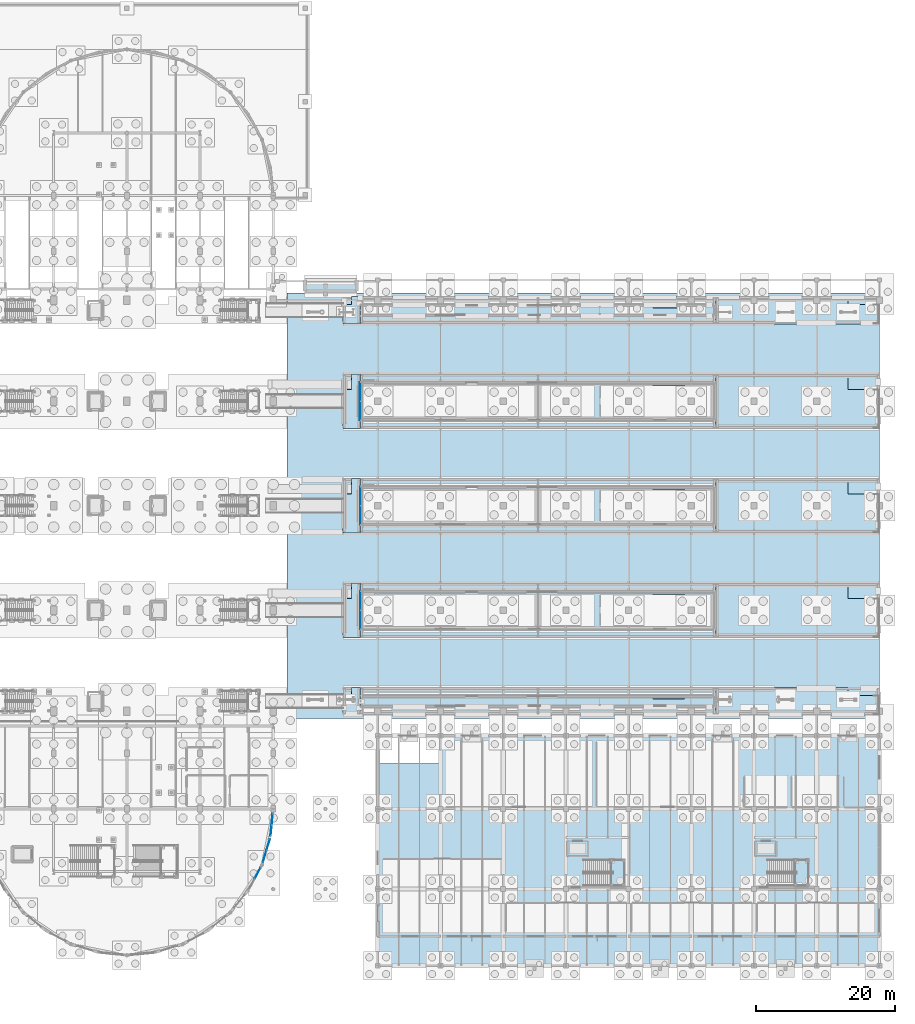
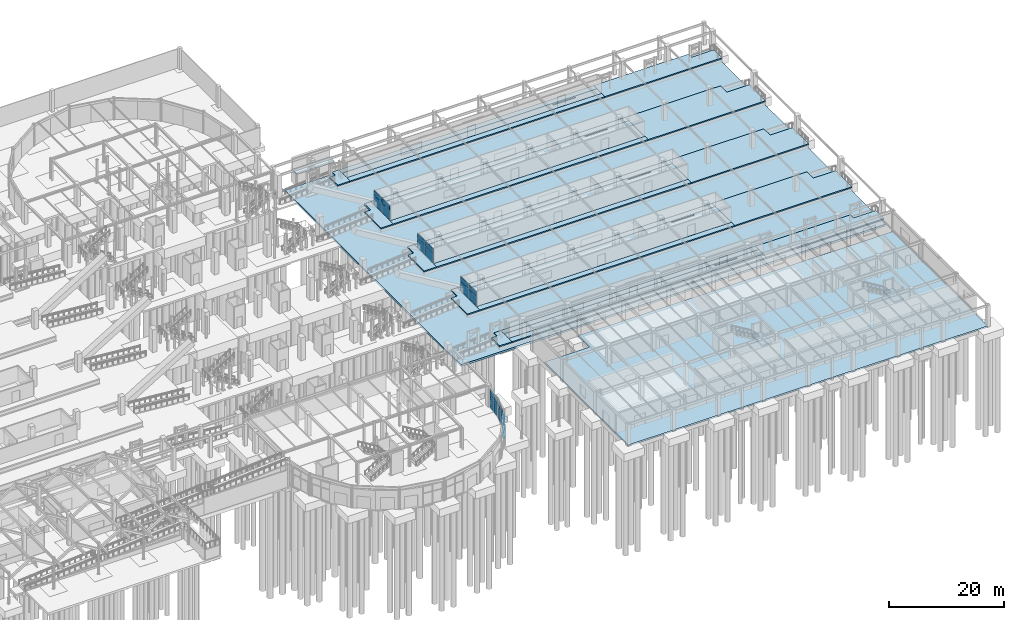
# One storey, part 94 of 160: 30 slabs, 22 plates, 8 elements without a shape of their own.
"""IFC4 building model written with IfcOpenShell, lengths in metres."""

from ifc_helpers import new_model, si_unit, direction, frame, origin, origin_2d, place, context, subcontext, project, spatial, polyline, rectangle, outline, extrude, material, layer, layer_set, type_object, element, aggregate, save


model = new_model("IFC4")

# Units and contexts
model_context = context("Model", 3, precision=1e-05, world=origin(), true_north=direction((0.0, 1.0)))
body_context = subcontext(model_context, "Body", "Model", "MODEL_VIEW")
ifc_project = project(units=[si_unit("LENGTHUNIT", "METRE"), si_unit("AREAUNIT", "SQUARE_METRE"), si_unit("VOLUMEUNIT", "CUBIC_METRE"), si_unit("PLANEANGLEUNIT", "RADIAN"), si_unit("MASSUNIT", "GRAM", prefix="KILO")], contexts=[model_context])

# Site, building, storey
site_placement = place(None, origin())
site = spatial("IfcSite", under=ifc_project, at=site_placement, CompositionType="ELEMENT")
building_placement = place(site_placement, origin())
building = spatial("IfcBuilding", under=site, at=building_placement, Name="Marlcrest Central Station", CompositionType="ELEMENT")
storey_placement = place(building_placement, origin())
storey = spatial("IfcBuildingStorey", under=building, at=storey_placement, Name="L00", CompositionType="ELEMENT", Elevation=0.0)

# Slabs
ifc_material_1 = material(Name="Concrete C35/45", Category="concrete")
ifc_layer_1 = layer(ifc_material_1, 0.39990234375, Name="BS-02")
ifc_layer_set_1 = layer_set([ifc_layer_1], Name="Concrete C35/45")
slab_type_1 = type_object("IfcSlabType", Name="BS-02", PredefinedType="BASESLAB", material=ifc_layer_set_1)
slab_1_placement = place(storey_placement, frame((0.0, 0.0, -0.39990234375)))
element("IfcSlab", 1, at=slab_1_placement, inside=storey, type_object=slab_type_1, Name="slab-L00-0022", PredefinedType="BASESLAB", context=body_context, shape_type="SweptSolid", body=[
    extrude(outline(polyline([(131.0, 35.5), (216.0, 35.5), (216.0, 96.5), (131.0, 96.5), (131.0, 35.5)])), origin(), (0.0, 0.0, 1.0), 0.39990234375),
])
ifc_layer_2 = layer(ifc_material_1, 0.300048828125, Name="BS-03")
ifc_layer_set_2 = layer_set([ifc_layer_2], Name="Concrete C35/45")
slab_type_2 = type_object("IfcSlabType", Name="BS-03", PredefinedType="BASESLAB", material=ifc_layer_set_2)
slab_2_placement = place(storey_placement, frame((0.0, 0.0, -0.300048828125)))
element("IfcSlab", 2, at=slab_2_placement, inside=storey, type_object=slab_type_2, Name="slab-L00-0014", PredefinedType="BASESLAB", context=body_context, shape_type="SweptSolid", body=[
    extrude(outline(polyline([(144.0, 0.0), (216.0, 0.0), (216.0, 33.0), (153.0, 33.0), (153.0, 29.0), (144.0, 29.0), (144.0, 0.0)])), origin(), (0.0, 0.0, 1.0), 0.300048828125),
])

# Curtain wall, plate
ifc_material_2 = material(Name="Anodised aluminium and hurricane laminated glass", Category="aluminium")
ifc_layer_3 = layer(ifc_material_2, 0.219970703125, Name="CW-U1")
ifc_layer_set_3 = layer_set([ifc_layer_3], Name="Anodised aluminium and hurricane laminated glass")
curtain_wall_type_1 = type_object("IfcCurtainWallType", Name="CW-U1", PredefinedType="USERDEFINED", material=ifc_layer_set_3)
curtain_wall_1_placement = place(storey_placement, origin())
curtain_wall_1 = element("IfcCurtainWall", 3, at=curtain_wall_1_placement, inside=storey, type_object=curtain_wall_type_1, Name="cw-L00-0006", ObjectType="UNITISED_CURTAIN_WALL", PredefinedType="USERDEFINED")
ifc_material_3 = material(Name="Hurricane laminated solar-control glass", Category="glass")
ifc_layer_4 = layer(ifc_material_3, 0.031982421875, Name="CP-01")
ifc_layer_set_4 = layer_set([ifc_layer_4], Name="Hurricane laminated solar-control glass")
plate_type_1 = type_object("IfcPlateType", Name="CP-01", PredefinedType="CURTAIN_PANEL", material=ifc_layer_set_4)
plate_1_placement = place(storey_placement, frame((126.775634765625, 13.29345703125, 0.080078125), z_axis=(0.0, 0.0, 1.0), x_axis=(-0.471242805349, -0.882003525167, 0.0)))
plate_1 = element("IfcPlate", 4, at=plate_1_placement, type_object=plate_type_1, Name="cw-L00-0006-cp-lo-0", PredefinedType="CURTAIN_PANEL", context=body_context, shape_type="SweptSolid", body=[
    extrude(rectangle(XDim=1.77001953125, YDim=0.031982421875, at=origin_2d()), origin(), (0.0, 0.0, 1.0), 2.544921875),
])

# Curtain wall, plates
curtain_wall_2_placement = place(storey_placement, origin())
curtain_wall_2 = element("IfcCurtainWall", 5, at=curtain_wall_2_placement, inside=storey, type_object=curtain_wall_type_1, Name="cw-L00-0007", ObjectType="UNITISED_CURTAIN_WALL", PredefinedType="USERDEFINED")
plate_2_placement = place(storey_placement, frame((128.28173828125, 17.3671875, 0.080078125), z_axis=(0.0, 0.0, 1.0), x_axis=(-0.290318080597, -0.956930202302, 0.0)))
plate_2 = element("IfcPlate", 6, at=plate_2_placement, type_object=plate_type_1, Name="cw-L00-0007-cp-lo-0", PredefinedType="CURTAIN_PANEL", context=body_context, shape_type="SweptSolid", body=[
    extrude(rectangle(XDim=1.67724609375, YDim=0.031982421875, at=origin_2d()), origin(), (0.0, 0.0, 1.0), 2.544921875),
])
plate_3_placement = place(storey_placement, frame((127.772705078125, 15.689453125, 0.080078125), z_axis=(0.0, 0.0, 1.0), x_axis=(-0.290318080597, -0.956930202302, 0.0)))
plate_3 = element("IfcPlate", 7, at=plate_3_placement, type_object=plate_type_1, Name="cw-L00-0007-cp-lo-1", PredefinedType="CURTAIN_PANEL", context=body_context, shape_type="SweptSolid", body=[
    extrude(rectangle(XDim=1.67724609375, YDim=0.031982421875, at=origin_2d()), origin(), (0.0, 0.0, 1.0), 2.544921875),
])

curtain_wall_3_placement = place(storey_placement, origin())
curtain_wall_3 = element("IfcCurtainWall", 8, at=curtain_wall_3_placement, inside=storey, type_object=curtain_wall_type_1, Name="cw-L00-0008", ObjectType="UNITISED_CURTAIN_WALL", PredefinedType="USERDEFINED")
plate_4_placement = place(storey_placement, frame((128.854248046875, 21.0224609375, 0.080078125), z_axis=(0.0, 0.0, 1.0), x_axis=(-0.098138724349, -0.995172744192, 0.0)))
plate_4 = element("IfcPlate", 9, at=plate_4_placement, type_object=plate_type_1, Name="cw-L00-0008-cp-lo-0", PredefinedType="CURTAIN_PANEL", context=body_context, shape_type="SweptSolid", body=[
    extrude(rectangle(XDim=1.54150390625, YDim=0.031982421875, at=origin_2d()), origin(), (0.0, 0.0, 1.0), 2.544921875),
])
plate_5_placement = place(storey_placement, frame((128.695556640625, 19.41259765625, 0.080078125), z_axis=(0.0, 0.0, 1.0), x_axis=(-0.098138724349, -0.995172744192, 0.0)))
plate_5 = element("IfcPlate", 10, at=plate_5_placement, type_object=plate_type_1, Name="cw-L00-0008-cp-lo-1", PredefinedType="CURTAIN_PANEL", context=body_context, shape_type="SweptSolid", body=[
    extrude(rectangle(XDim=1.54150390625, YDim=0.031982421875, at=origin_2d()), origin(), (0.0, 0.0, 1.0), 2.544921875),
])

ifc_layer_5 = layer(ifc_material_2, 0.179931640625, Name="CW-S1")
ifc_layer_set_5 = layer_set([ifc_layer_5], Name="Anodised aluminium and hurricane laminated glass")
curtain_wall_type_2 = type_object("IfcCurtainWallType", Name="CW-S1", PredefinedType="USERDEFINED", material=ifc_layer_set_5)
curtain_wall_4_placement = place(storey_placement, origin())
curtain_wall_4 = element("IfcCurtainWall", 11, at=curtain_wall_4_placement, inside=storey, type_object=curtain_wall_type_2, Name="cw-L00-0174", ObjectType="STICK_CURTAIN_WALL", PredefinedType="USERDEFINED")
plate_6_placement = place(storey_placement, frame((141.5, 49.625, 0.9951171875), z_axis=(0.0, 0.0, 1.0), x_axis=(0.0, 1.0, 0.0)))
plate_6 = element("IfcPlate", 12, at=plate_6_placement, type_object=plate_type_1, Name="cw-L00-0174-cp-lo-0", PredefinedType="CURTAIN_PANEL", context=body_context, shape_type="SweptSolid", body=[
    extrude(rectangle(XDim=2.68408203125, YDim=0.031982421875, at=origin_2d()), origin(), (0.0, 0.0, 1.0), 1.949951171875),
])
plate_7_placement = place(storey_placement, frame((141.5, 52.375, 0.9951171875), z_axis=(0.0, 0.0, 1.0), x_axis=(0.0, 1.0, 0.0)))
plate_7 = element("IfcPlate", 13, at=plate_7_placement, type_object=plate_type_1, Name="cw-L00-0174-cp-lo-1", PredefinedType="CURTAIN_PANEL", context=body_context, shape_type="SweptSolid", body=[
    extrude(rectangle(XDim=2.68408203125, YDim=0.031982421875, at=origin_2d()), origin(), (0.0, 0.0, 1.0), 1.949951171875),
])

curtain_wall_5_placement = place(storey_placement, origin())
curtain_wall_5 = element("IfcCurtainWall", 14, at=curtain_wall_5_placement, inside=storey, type_object=curtain_wall_type_2, Name="cw-L00-0176", ObjectType="STICK_CURTAIN_WALL", PredefinedType="USERDEFINED")
plate_8_placement = place(storey_placement, frame((141.5, 64.625, 0.9951171875), z_axis=(0.0, 0.0, 1.0), x_axis=(0.0, 1.0, 0.0)))
plate_8 = element("IfcPlate", 15, at=plate_8_placement, type_object=plate_type_1, Name="cw-L00-0176-cp-lo-0", PredefinedType="CURTAIN_PANEL", context=body_context, shape_type="SweptSolid", body=[
    extrude(rectangle(XDim=2.68408203125, YDim=0.031982421875, at=origin_2d()), origin(), (0.0, 0.0, 1.0), 1.949951171875),
])
plate_9_placement = place(storey_placement, frame((141.5, 67.375, 0.9951171875), z_axis=(0.0, 0.0, 1.0), x_axis=(0.0, 1.0, 0.0)))
plate_9 = element("IfcPlate", 16, at=plate_9_placement, type_object=plate_type_1, Name="cw-L00-0176-cp-lo-1", PredefinedType="CURTAIN_PANEL", context=body_context, shape_type="SweptSolid", body=[
    extrude(rectangle(XDim=2.68408203125, YDim=0.031982421875, at=origin_2d()), origin(), (0.0, 0.0, 1.0), 1.949951171875),
])

curtain_wall_6_placement = place(storey_placement, origin())
curtain_wall_6 = element("IfcCurtainWall", 17, at=curtain_wall_6_placement, inside=storey, type_object=curtain_wall_type_2, Name="cw-L00-0178", ObjectType="STICK_CURTAIN_WALL", PredefinedType="USERDEFINED")
plate_10_placement = place(storey_placement, frame((141.5, 79.625, 0.9951171875), z_axis=(0.0, 0.0, 1.0), x_axis=(0.0, 1.0, 0.0)))
plate_10 = element("IfcPlate", 18, at=plate_10_placement, type_object=plate_type_1, Name="cw-L00-0178-cp-lo-0", PredefinedType="CURTAIN_PANEL", context=body_context, shape_type="SweptSolid", body=[
    extrude(rectangle(XDim=2.68408203125, YDim=0.031982421875, at=origin_2d()), origin(), (0.0, 0.0, 1.0), 1.949951171875),
])
plate_11_placement = place(storey_placement, frame((141.5, 82.375, 0.9951171875), z_axis=(0.0, 0.0, 1.0), x_axis=(0.0, 1.0, 0.0)))
plate_11 = element("IfcPlate", 19, at=plate_11_placement, type_object=plate_type_1, Name="cw-L00-0178-cp-lo-1", PredefinedType="CURTAIN_PANEL", context=body_context, shape_type="SweptSolid", body=[
    extrude(rectangle(XDim=2.68408203125, YDim=0.031982421875, at=origin_2d()), origin(), (0.0, 0.0, 1.0), 1.949951171875),
])

# Plate
ifc_material_4 = material(Name="Insulated bronze-anodised aluminium spandrel panel", Category="aluminium")
ifc_layer_6 = layer(ifc_material_4, 0.06005859375, Name="CP-04")
ifc_layer_set_6 = layer_set([ifc_layer_6], Name="Insulated bronze-anodised aluminium spandrel panel")
plate_type_2 = type_object("IfcPlateType", Name="CP-04", PredefinedType="CURTAIN_PANEL", material=ifc_layer_set_6)
plate_12_placement = place(storey_placement, frame((126.775634765625, 13.29345703125, 2.705078125), z_axis=(0.0, 0.0, 1.0), x_axis=(-0.471242805349, -0.882003525167, 0.0)))
plate_12 = element("IfcPlate", 20, at=plate_12_placement, type_object=plate_type_2, Name="cw-L00-0006-cp-hi-0", PredefinedType="CURTAIN_PANEL", context=body_context, shape_type="SweptSolid", body=[
    extrude(rectangle(XDim=1.77001953125, YDim=0.06005859375, at=origin_2d()), origin(), (0.0, 0.0, 1.0), 1.31494140625),
])

aggregate(curtain_wall_1, [plate_1, plate_12])

plate_13_placement = place(storey_placement, frame((141.5, 49.625, 3.02490234375), z_axis=(0.0, 0.0, 1.0), x_axis=(0.0, 1.0, 0.0)))
plate_13 = element("IfcPlate", 21, at=plate_13_placement, type_object=plate_type_2, Name="cw-L00-0174-cp-hi-0", PredefinedType="CURTAIN_PANEL", context=body_context, shape_type="SweptSolid", body=[
    extrude(rectangle(XDim=2.68408203125, YDim=0.06005859375, at=origin_2d()), origin(), (0.0, 0.0, 1.0), 0.9951171875),
])

plate_14_placement = place(storey_placement, frame((141.5, 52.375, 3.02490234375), z_axis=(0.0, 0.0, 1.0), x_axis=(0.0, 1.0, 0.0)))
plate_14 = element("IfcPlate", 22, at=plate_14_placement, type_object=plate_type_2, Name="cw-L00-0174-cp-hi-1", PredefinedType="CURTAIN_PANEL", context=body_context, shape_type="SweptSolid", body=[
    extrude(rectangle(XDim=2.68408203125, YDim=0.06005859375, at=origin_2d()), origin(), (0.0, 0.0, 1.0), 0.9951171875),
])

aggregate(curtain_wall_4, [plate_6, plate_13, plate_7, plate_14])

ifc_layer_7 = layer(ifc_material_4, 0.050048828125, Name="CP-05")
ifc_layer_set_7 = layer_set([ifc_layer_7], Name="Insulated bronze-anodised aluminium spandrel panel")
plate_type_3 = type_object("IfcPlateType", Name="CP-05", PredefinedType="CURTAIN_PANEL", material=ifc_layer_set_7)
plate_15_placement = place(storey_placement, frame((128.28173828125, 17.3671875, 2.705078125), z_axis=(0.0, 0.0, 1.0), x_axis=(-0.290318080597, -0.956930202302, 0.0)))
plate_15 = element("IfcPlate", 23, at=plate_15_placement, type_object=plate_type_3, Name="cw-L00-0007-cp-hi-0", PredefinedType="CURTAIN_PANEL", context=body_context, shape_type="SweptSolid", body=[
    extrude(rectangle(XDim=1.67724609375, YDim=0.050048828125, at=origin_2d()), origin(), (0.0, 0.0, 1.0), 1.31494140625),
])

plate_16_placement = place(storey_placement, frame((127.772705078125, 15.689453125, 2.705078125), z_axis=(0.0, 0.0, 1.0), x_axis=(-0.290318080597, -0.956930202302, 0.0)))
plate_16 = element("IfcPlate", 24, at=plate_16_placement, type_object=plate_type_3, Name="cw-L00-0007-cp-hi-1", PredefinedType="CURTAIN_PANEL", context=body_context, shape_type="SweptSolid", body=[
    extrude(rectangle(XDim=1.67724609375, YDim=0.050048828125, at=origin_2d()), origin(), (0.0, 0.0, 1.0), 1.31494140625),
])

aggregate(curtain_wall_2, [plate_2, plate_15, plate_3, plate_16])

ifc_material_5 = material(Name="Insulated acoustic spandrel panel")
ifc_layer_8 = layer(ifc_material_5, 0.074951171875, Name="CP-06")
ifc_layer_set_8 = layer_set([ifc_layer_8], Name="Insulated acoustic spandrel panel")
plate_type_4 = type_object("IfcPlateType", Name="CP-06", PredefinedType="CURTAIN_PANEL", material=ifc_layer_set_8)
plate_17_placement = place(storey_placement, frame((128.854248046875, 21.0224609375, 2.705078125), z_axis=(0.0, 0.0, 1.0), x_axis=(-0.098138724349, -0.995172744192, 0.0)))
plate_17 = element("IfcPlate", 25, at=plate_17_placement, type_object=plate_type_4, Name="cw-L00-0008-cp-hi-0", PredefinedType="CURTAIN_PANEL", context=body_context, shape_type="SweptSolid", body=[
    extrude(rectangle(XDim=1.54150390625, YDim=0.074951171875, at=origin_2d()), origin(), (0.0, 0.0, 1.0), 1.31494140625),
])

plate_18_placement = place(storey_placement, frame((128.695556640625, 19.41259765625, 2.705078125), z_axis=(0.0, 0.0, 1.0), x_axis=(-0.098138724349, -0.995172744192, 0.0)))
plate_18 = element("IfcPlate", 26, at=plate_18_placement, type_object=plate_type_4, Name="cw-L00-0008-cp-hi-1", PredefinedType="CURTAIN_PANEL", context=body_context, shape_type="SweptSolid", body=[
    extrude(rectangle(XDim=1.54150390625, YDim=0.074951171875, at=origin_2d()), origin(), (0.0, 0.0, 1.0), 1.31494140625),
])

aggregate(curtain_wall_3, [plate_4, plate_17, plate_5, plate_18])

plate_19_placement = place(storey_placement, frame((141.5, 64.625, 3.02490234375), z_axis=(0.0, 0.0, 1.0), x_axis=(0.0, 1.0, 0.0)))
plate_19 = element("IfcPlate", 27, at=plate_19_placement, type_object=plate_type_4, Name="cw-L00-0176-cp-hi-0", PredefinedType="CURTAIN_PANEL", context=body_context, shape_type="SweptSolid", body=[
    extrude(rectangle(XDim=2.68408203125, YDim=0.074951171875, at=origin_2d()), origin(), (0.0, 0.0, 1.0), 0.9951171875),
])

plate_20_placement = place(storey_placement, frame((141.5, 67.375, 3.02490234375), z_axis=(0.0, 0.0, 1.0), x_axis=(0.0, 1.0, 0.0)))
plate_20 = element("IfcPlate", 28, at=plate_20_placement, type_object=plate_type_4, Name="cw-L00-0176-cp-hi-1", PredefinedType="CURTAIN_PANEL", context=body_context, shape_type="SweptSolid", body=[
    extrude(rectangle(XDim=2.68408203125, YDim=0.074951171875, at=origin_2d()), origin(), (0.0, 0.0, 1.0), 0.9951171875),
])

aggregate(curtain_wall_5, [plate_8, plate_19, plate_9, plate_20])

ifc_material_6 = material(Name="Insulated shadow-box spandrel panel")
ifc_layer_9 = layer(ifc_material_6, 0.10498046875, Name="CP-08")
ifc_layer_set_9 = layer_set([ifc_layer_9], Name="Insulated shadow-box spandrel panel")
plate_type_5 = type_object("IfcPlateType", Name="CP-08", PredefinedType="CURTAIN_PANEL", material=ifc_layer_set_9)
plate_21_placement = place(storey_placement, frame((141.5, 79.625, 3.02490234375), z_axis=(0.0, 0.0, 1.0), x_axis=(0.0, 1.0, 0.0)))
plate_21 = element("IfcPlate", 29, at=plate_21_placement, type_object=plate_type_5, Name="cw-L00-0178-cp-hi-0", PredefinedType="CURTAIN_PANEL", context=body_context, shape_type="SweptSolid", body=[
    extrude(rectangle(XDim=2.68408203125, YDim=0.10498046875, at=origin_2d()), origin(), (0.0, 0.0, 1.0), 0.9951171875),
])

plate_22_placement = place(storey_placement, frame((141.5, 82.375, 3.02490234375), z_axis=(0.0, 0.0, 1.0), x_axis=(0.0, 1.0, 0.0)))
plate_22 = element("IfcPlate", 30, at=plate_22_placement, type_object=plate_type_5, Name="cw-L00-0178-cp-hi-1", PredefinedType="CURTAIN_PANEL", context=body_context, shape_type="SweptSolid", body=[
    extrude(rectangle(XDim=2.68408203125, YDim=0.10498046875, at=origin_2d()), origin(), (0.0, 0.0, 1.0), 0.9951171875),
])

aggregate(curtain_wall_6, [plate_10, plate_21, plate_11, plate_22])

# Stair, slab
stair_type = type_object("IfcStairType", Name="ST-HTS", PredefinedType="HALF_TURN_STAIR", material=ifc_material_1)
stair_1_placement = place(storey_placement, origin())
stair_1 = element("IfcStair", 31, at=stair_1_placement, inside=storey, type_object=stair_type, Name="ST-R10", PredefinedType="HALF_TURN_STAIR")
ifc_layer_10 = layer(ifc_material_1, 0.320068359375, Name="LS-01")
ifc_layer_set_10 = layer_set([ifc_layer_10], Name="Concrete C35/45")
slab_type_3 = type_object("IfcSlabType", Name="LS-01", PredefinedType="LANDING", material=ifc_layer_set_10)
slab_3_placement = place(storey_placement, frame((0.0, 0.0, 2.080078125)))
slab_3 = element("IfcSlab", 32, at=slab_3_placement, type_object=slab_type_3, Name="ST-R10-L1", PredefinedType="LANDING", context=body_context, shape_type="SweptSolid", body=[
    extrude(outline(polyline([(177.429931640625, 11.469970703125), (179.429931640625, 11.469970703125), (179.429931640625, 15.22998046875), (177.429931640625, 15.22998046875), (177.429931640625, 13.409912109375), (177.679931640625, 13.409912109375), (177.679931640625, 13.2900390625), (177.429931640625, 13.2900390625), (177.429931640625, 11.469970703125)])), origin(), (0.0, 0.0, 1.0), 0.31982421875),
])
aggregate(stair_1, [slab_3])

stair_2_placement = place(storey_placement, origin())
stair_2 = element("IfcStair", 33, at=stair_2_placement, inside=storey, type_object=stair_type, Name="ST-R20", PredefinedType="HALF_TURN_STAIR")
slab_4_placement = place(storey_placement, frame((0.0, 0.0, 2.080078125)))
slab_4 = element("IfcSlab", 34, at=slab_4_placement, type_object=slab_type_3, Name="ST-R20-L1", PredefinedType="LANDING", context=body_context, shape_type="SweptSolid", body=[
    extrude(outline(polyline([(203.830078125, 11.469970703125), (205.830078125, 11.469970703125), (205.830078125, 15.22998046875), (203.830078125, 15.22998046875), (203.830078125, 13.409912109375), (204.080078125, 13.409912109375), (204.080078125, 13.2900390625), (203.830078125, 13.2900390625), (203.830078125, 11.469970703125)])), origin(), (0.0, 0.0, 1.0), 0.31982421875),
])
aggregate(stair_2, [slab_4])

# Slabs
ifc_layer_11 = layer(ifc_material_1, 0.25, Name="PS-01")
ifc_layer_set_11 = layer_set([ifc_layer_11], Name="Concrete C35/45")
slab_type_4 = type_object("IfcSlabType", Name="PS-01", PredefinedType="FLOOR", material=ifc_layer_set_11)
slab_5_placement = place(storey_placement, frame((0.0, 0.0, 0.6650390625)))
element("IfcSlab", 35, at=slab_5_placement, inside=storey, type_object=slab_type_4, Name="slab-L00-0035", PredefinedType="FLOOR", context=body_context, shape_type="SweptSolid", body=[
    extrude(outline(polyline([(139.0, 36.0), (141.5, 36.0), (141.5, 39.89990234375), (140.199951171875, 39.89990234375), (140.199951171875, 38.80810546875), (139.0, 38.80810546875), (139.0, 36.0)])), origin(), (0.0, 0.0, 1.0), 0.25),
])
slab_6_placement = place(storey_placement, frame((0.0, 0.0, 0.6650390625)))
element("IfcSlab", 36, at=slab_6_placement, inside=storey, type_object=slab_type_4, Name="slab-L00-0036", PredefinedType="FLOOR", context=body_context, shape_type="SweptSolid", body=[
    extrude(outline(polyline([(192.5, 37.14990234375), (192.5, 36.0), (141.5, 36.0), (141.5, 37.14990234375), (192.5, 37.14990234375)])), origin(), (0.0, 0.0, 1.0), 0.25),
])
slab_7_placement = place(storey_placement, frame((0.0, 0.0, 0.6650390625)))
element("IfcSlab", 37, at=slab_7_placement, inside=storey, type_object=slab_type_4, Name="slab-L00-0037", PredefinedType="FLOOR", context=body_context, shape_type="SweptSolid", body=[
    extrude(outline(polyline([(192.5, 39.89990234375), (192.5, 38.75), (141.5, 38.75), (141.5, 39.89990234375), (192.5, 39.89990234375)])), origin(), (0.0, 0.0, 1.0), 0.25),
])
slab_8_placement = place(storey_placement, frame((0.0, 0.0, 0.6650390625)))
element("IfcSlab", 38, at=slab_8_placement, inside=storey, type_object=slab_type_4, Name="slab-L00-0039", PredefinedType="FLOOR", context=body_context, shape_type="SweptSolid", body=[
    extrude(outline(polyline([(211.5, 39.89990234375), (211.5, 38.80810546875), (216.0, 38.80810546875), (216.0, 36.0), (192.5, 36.0), (192.5, 39.89990234375), (211.5, 39.89990234375)])), origin(), (0.0, 0.0, 1.0), 0.25),
])
slab_9_placement = place(storey_placement, frame((0.0, 0.0, 0.6650390625)))
element("IfcSlab", 39, at=slab_9_placement, inside=storey, type_object=slab_type_4, Name="slab-L00-0046", PredefinedType="FLOOR", context=body_context, shape_type="SweptSolid", body=[
    extrude(outline(polyline([(139.0, 47.10009765625), (141.5, 47.10009765625), (141.5, 54.89990234375), (140.199951171875, 54.89990234375), (140.199951171875, 52.716064453125), (139.0, 52.716064453125), (139.0, 47.10009765625)])), origin(), (0.0, 0.0, 1.0), 0.25),
])
slab_10_placement = place(storey_placement, frame((0.0, 0.0, 0.6650390625)))
element("IfcSlab", 40, at=slab_10_placement, inside=storey, type_object=slab_type_4, Name="slab-L00-0047", PredefinedType="FLOOR", context=body_context, shape_type="SweptSolid", body=[
    extrude(outline(polyline([(192.5, 48.25), (192.5, 47.10009765625), (141.5, 47.10009765625), (141.5, 48.25), (192.5, 48.25)])), origin(), (0.0, 0.0, 1.0), 0.25),
])
slab_11_placement = place(storey_placement, frame((0.0, 0.0, 0.6650390625)))
element("IfcSlab", 41, at=slab_11_placement, inside=storey, type_object=slab_type_4, Name="slab-L00-0048", PredefinedType="FLOOR", context=body_context, shape_type="SweptSolid", body=[
    extrude(outline(polyline([(192.5, 54.89990234375), (192.5, 53.75), (141.5, 53.75), (141.5, 54.89990234375), (192.5, 54.89990234375)])), origin(), (0.0, 0.0, 1.0), 0.25),
])
slab_12_placement = place(storey_placement, frame((0.0, 0.0, 0.6650390625)))
element("IfcSlab", 42, at=slab_12_placement, inside=storey, type_object=slab_type_4, Name="slab-L00-0050", PredefinedType="FLOOR", context=body_context, shape_type="SweptSolid", body=[
    extrude(outline(polyline([(211.5, 54.89990234375), (211.5, 52.716064453125), (216.0, 52.716064453125), (216.0, 47.10009765625), (192.5, 47.10009765625), (192.5, 54.89990234375), (211.5, 54.89990234375)])), origin(), (0.0, 0.0, 1.0), 0.25),
])
slab_13_placement = place(storey_placement, frame((0.0, 0.0, 0.6650390625)))
element("IfcSlab", 43, at=slab_13_placement, inside=storey, type_object=slab_type_4, Name="slab-L00-0057", PredefinedType="FLOOR", context=body_context, shape_type="SweptSolid", body=[
    extrude(outline(polyline([(139.0, 62.10009765625), (141.5, 62.10009765625), (141.5, 69.89990234375), (140.199951171875, 69.89990234375), (140.199951171875, 67.716064453125), (139.0, 67.716064453125), (139.0, 62.10009765625)])), origin(), (0.0, 0.0, 1.0), 0.25),
])
slab_14_placement = place(storey_placement, frame((0.0, 0.0, 0.6650390625)))
element("IfcSlab", 44, at=slab_14_placement, inside=storey, type_object=slab_type_4, Name="slab-L00-0058", PredefinedType="FLOOR", context=body_context, shape_type="SweptSolid", body=[
    extrude(outline(polyline([(192.5, 63.25), (192.5, 62.10009765625), (141.5, 62.10009765625), (141.5, 63.25), (192.5, 63.25)])), origin(), (0.0, 0.0, 1.0), 0.25),
])
slab_15_placement = place(storey_placement, frame((0.0, 0.0, 0.6650390625)))
element("IfcSlab", 45, at=slab_15_placement, inside=storey, type_object=slab_type_4, Name="slab-L00-0059", PredefinedType="FLOOR", context=body_context, shape_type="SweptSolid", body=[
    extrude(outline(polyline([(192.5, 69.89990234375), (192.5, 68.75), (141.5, 68.75), (141.5, 69.89990234375), (192.5, 69.89990234375)])), origin(), (0.0, 0.0, 1.0), 0.25),
])
slab_16_placement = place(storey_placement, frame((0.0, 0.0, 0.6650390625)))
element("IfcSlab", 46, at=slab_16_placement, inside=storey, type_object=slab_type_4, Name="slab-L00-0061", PredefinedType="FLOOR", context=body_context, shape_type="SweptSolid", body=[
    extrude(outline(polyline([(211.5, 69.89990234375), (211.5, 67.716064453125), (216.0, 67.716064453125), (216.0, 62.10009765625), (192.5, 62.10009765625), (192.5, 69.89990234375), (211.5, 69.89990234375)])), origin(), (0.0, 0.0, 1.0), 0.25),
])
slab_17_placement = place(storey_placement, frame((0.0, 0.0, 0.6650390625)))
element("IfcSlab", 47, at=slab_17_placement, inside=storey, type_object=slab_type_4, Name="slab-L00-0068", PredefinedType="FLOOR", context=body_context, shape_type="SweptSolid", body=[
    extrude(outline(polyline([(139.0, 77.10009765625), (141.5, 77.10009765625), (141.5, 84.89990234375), (140.199951171875, 84.89990234375), (140.199951171875, 82.716064453125), (139.0, 82.716064453125), (139.0, 77.10009765625)])), origin(), (0.0, 0.0, 1.0), 0.25),
])
slab_18_placement = place(storey_placement, frame((0.0, 0.0, 0.6650390625)))
element("IfcSlab", 48, at=slab_18_placement, inside=storey, type_object=slab_type_4, Name="slab-L00-0069", PredefinedType="FLOOR", context=body_context, shape_type="SweptSolid", body=[
    extrude(outline(polyline([(192.5, 78.25), (192.5, 77.10009765625), (141.5, 77.10009765625), (141.5, 78.25), (192.5, 78.25)])), origin(), (0.0, 0.0, 1.0), 0.25),
])
slab_19_placement = place(storey_placement, frame((0.0, 0.0, 0.6650390625)))
element("IfcSlab", 49, at=slab_19_placement, inside=storey, type_object=slab_type_4, Name="slab-L00-0070", PredefinedType="FLOOR", context=body_context, shape_type="SweptSolid", body=[
    extrude(outline(polyline([(192.5, 84.89990234375), (192.5, 83.75), (141.5, 83.75), (141.5, 84.89990234375), (192.5, 84.89990234375)])), origin(), (0.0, 0.0, 1.0), 0.25),
])
slab_20_placement = place(storey_placement, frame((0.0, 0.0, 0.6650390625)))
element("IfcSlab", 50, at=slab_20_placement, inside=storey, type_object=slab_type_4, Name="slab-L00-0072", PredefinedType="FLOOR", context=body_context, shape_type="SweptSolid", body=[
    extrude(outline(polyline([(211.5, 84.89990234375), (211.5, 82.716064453125), (216.0, 82.716064453125), (216.0, 77.10009765625), (192.5, 77.10009765625), (192.5, 84.89990234375), (211.5, 84.89990234375)])), origin(), (0.0, 0.0, 1.0), 0.25),
])
slab_21_placement = place(storey_placement, frame((0.0, 0.0, 0.6650390625)))
element("IfcSlab", 51, at=slab_21_placement, inside=storey, type_object=slab_type_4, Name="slab-L00-0079", PredefinedType="FLOOR", context=body_context, shape_type="SweptSolid", body=[
    extrude(outline(polyline([(139.0, 92.10009765625), (141.5, 92.10009765625), (141.5, 96.0), (140.199951171875, 96.0), (140.199951171875, 94.907958984375), (139.0, 94.907958984375), (139.0, 92.10009765625)])), origin(), (0.0, 0.0, 1.0), 0.25),
])
slab_22_placement = place(storey_placement, frame((0.0, 0.0, 0.6650390625)))
element("IfcSlab", 52, at=slab_22_placement, inside=storey, type_object=slab_type_4, Name="slab-L00-0080", PredefinedType="FLOOR", context=body_context, shape_type="SweptSolid", body=[
    extrude(outline(polyline([(192.5, 93.25), (192.5, 92.10009765625), (141.5, 92.10009765625), (141.5, 93.25), (192.5, 93.25)])), origin(), (0.0, 0.0, 1.0), 0.25),
])
slab_23_placement = place(storey_placement, frame((0.0, 0.0, 0.6650390625)))
element("IfcSlab", 53, at=slab_23_placement, inside=storey, type_object=slab_type_4, Name="slab-L00-0081", PredefinedType="FLOOR", context=body_context, shape_type="SweptSolid", body=[
    extrude(outline(polyline([(192.5, 96.0), (192.5, 94.85009765625), (141.5, 94.85009765625), (141.5, 96.0), (192.5, 96.0)])), origin(), (0.0, 0.0, 1.0), 0.25),
])
slab_24_placement = place(storey_placement, frame((0.0, 0.0, 0.6650390625)))
element("IfcSlab", 54, at=slab_24_placement, inside=storey, type_object=slab_type_4, Name="slab-L00-0083", PredefinedType="FLOOR", context=body_context, shape_type="SweptSolid", body=[
    extrude(outline(polyline([(211.5, 96.0), (211.5, 94.907958984375), (216.0, 94.907958984375), (216.0, 92.10009765625), (192.5, 92.10009765625), (192.5, 96.0), (211.5, 96.0)])), origin(), (0.0, 0.0, 1.0), 0.25),
])
ifc_layer_12 = layer(ifc_material_1, 0.239990234375, Name="PS-02")
ifc_layer_set_12 = layer_set([ifc_layer_12], Name="Concrete C35/45")
slab_type_5 = type_object("IfcSlabType", Name="PS-02", PredefinedType="FLOOR", material=ifc_layer_set_12)
slab_25_placement = place(storey_placement, frame((0.0, 0.0, 0.675048828125)))
element("IfcSlab", 55, at=slab_25_placement, inside=storey, type_object=slab_type_5, Name="slab-L00-0038", PredefinedType="FLOOR", context=body_context, shape_type="SweptSolid", body=[
    extrude(outline(polyline([(141.5, 37.14990234375), (141.5, 38.75), (183.5, 38.75), (183.5, 38.25), (188.0, 38.25), (188.0, 38.75), (192.5, 38.75), (192.5, 37.14990234375), (141.5, 37.14990234375)])), origin(), (0.0, 0.0, 1.0), 0.239990234375),
])
slab_26_placement = place(storey_placement, frame((0.0, 0.0, 0.675048828125)))
element("IfcSlab", 56, at=slab_26_placement, inside=storey, type_object=slab_type_5, Name="slab-L00-0049", PredefinedType="FLOOR", context=body_context, shape_type="SweptSolid", body=[
    extrude(outline(polyline([(141.5, 48.25), (141.5, 53.75), (183.5, 53.75), (183.5, 53.25), (188.0, 53.25), (188.0, 53.75), (192.5, 53.75), (192.5, 48.25), (141.5, 48.25)])), origin(), (0.0, 0.0, 1.0), 0.239990234375),
])
slab_27_placement = place(storey_placement, frame((0.0, 0.0, 0.675048828125)))
element("IfcSlab", 57, at=slab_27_placement, inside=storey, type_object=slab_type_5, Name="slab-L00-0060", PredefinedType="FLOOR", context=body_context, shape_type="SweptSolid", body=[
    extrude(outline(polyline([(141.5, 63.25), (141.5, 68.75), (183.5, 68.75), (183.5, 68.25), (188.0, 68.25), (188.0, 68.75), (192.5, 68.75), (192.5, 63.25), (141.5, 63.25)])), origin(), (0.0, 0.0, 1.0), 0.239990234375),
])
slab_28_placement = place(storey_placement, frame((0.0, 0.0, 0.675048828125)))
element("IfcSlab", 58, at=slab_28_placement, inside=storey, type_object=slab_type_5, Name="slab-L00-0071", PredefinedType="FLOOR", context=body_context, shape_type="SweptSolid", body=[
    extrude(outline(polyline([(141.5, 78.25), (141.5, 83.75), (183.5, 83.75), (183.5, 83.25), (188.0, 83.25), (188.0, 83.75), (192.5, 83.75), (192.5, 78.25), (141.5, 78.25)])), origin(), (0.0, 0.0, 1.0), 0.239990234375),
])
slab_29_placement = place(storey_placement, frame((0.0, 0.0, 0.675048828125)))
element("IfcSlab", 59, at=slab_29_placement, inside=storey, type_object=slab_type_5, Name="slab-L00-0082", PredefinedType="FLOOR", context=body_context, shape_type="SweptSolid", body=[
    extrude(outline(polyline([(141.5, 93.25), (141.5, 94.85009765625), (183.5, 94.85009765625), (183.5, 94.35009765625), (188.0, 94.35009765625), (188.0, 94.85009765625), (192.5, 94.85009765625), (192.5, 93.25), (141.5, 93.25)])), origin(), (0.0, 0.0, 1.0), 0.239990234375),
])
ifc_material_7 = material(Name="Concrete C40/50", Category="concrete")
ifc_layer_13 = layer(ifc_material_7, 0.219970703125, Name="RS-01")
ifc_layer_set_13 = layer_set([ifc_layer_13], Name="Concrete C40/50")
slab_type_6 = type_object("IfcSlabType", Name="RS-01", PredefinedType="ROOF", material=ifc_layer_set_13)
slab_30_placement = place(storey_placement, frame((0.0, 0.0, 2.179931640625)))
element("IfcSlab", 60, at=slab_30_placement, inside=storey, type_object=slab_type_6, Name="slab-L00-0013", PredefinedType="ROOF", context=body_context, shape_type="SweptSolid", body=[
    extrude(outline(polyline([(133.5, 96.800048828125), (141.0, 96.800048828125), (141.0, 98.39990234375), (133.5, 98.39990234375), (133.5, 96.800048828125)])), origin(), (0.0, 0.0, 1.0), 0.219970703125),
])

save(model, "model.ifc")
